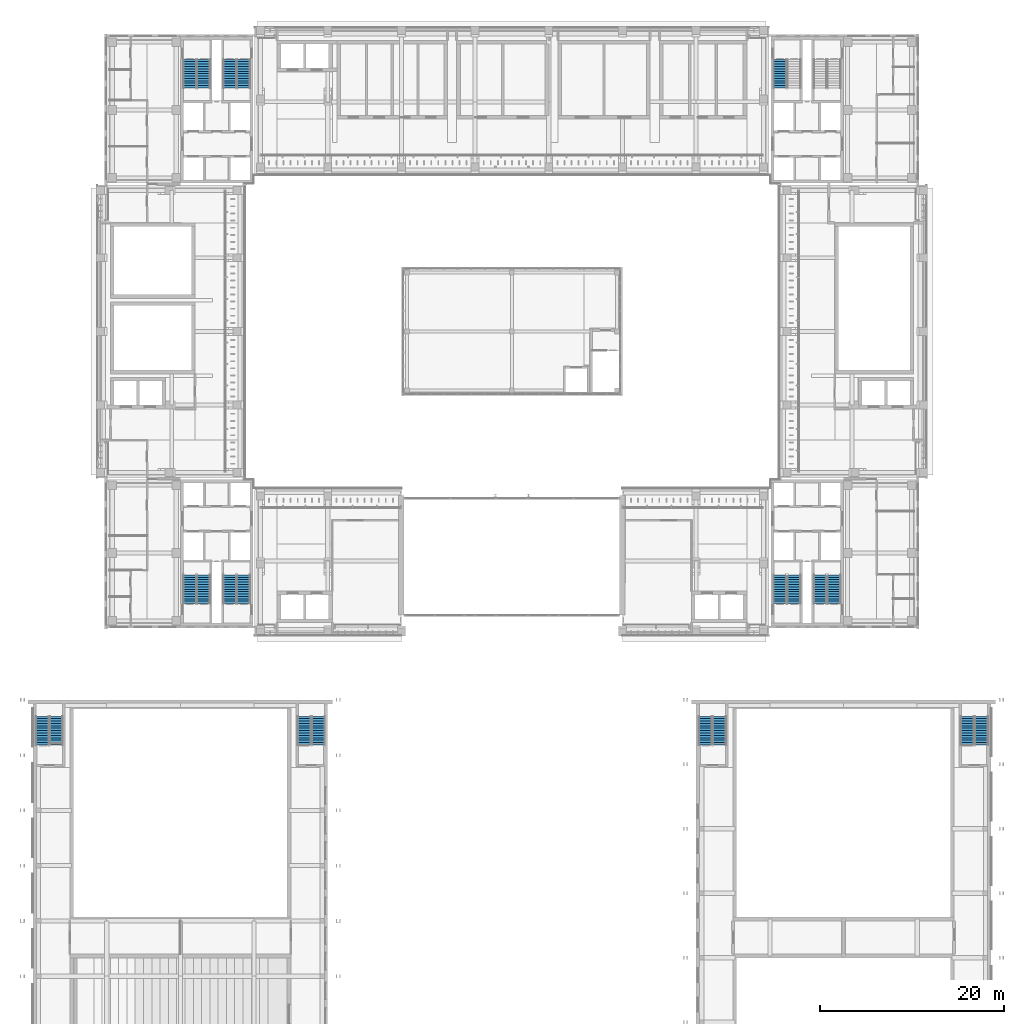
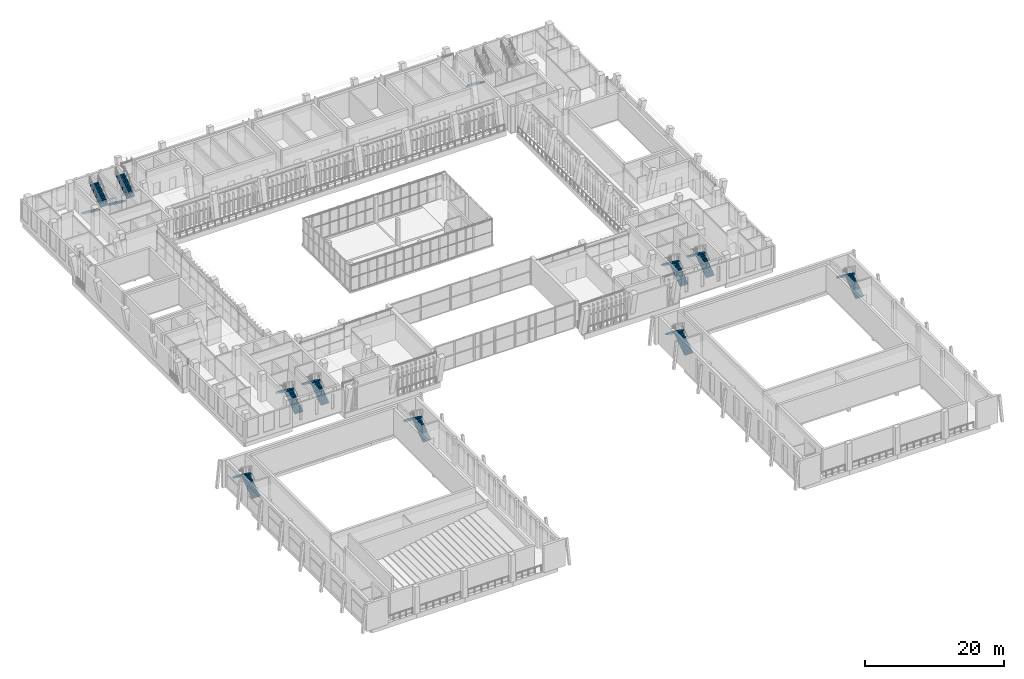
# One storey, part 70 of 92: 21 stair flights, 11 elements without a shape of their own.
"""IFC4 building model written with IfcOpenShell, lengths in metres."""

from ifc_helpers import new_model, si_unit, direction, frame, origin, place, context, subcontext, project, spatial, polyline, outline, extrude, material, type_object, element, aggregate, save


model = new_model("IFC4")

# Units and contexts
model_context = context("Model", 3, precision=1e-05, world=origin(), true_north=direction((0.0, 1.0)))
body_context = subcontext(model_context, "Body", "Model", "MODEL_VIEW")
ifc_project = project(units=[si_unit("LENGTHUNIT", "METRE"), si_unit("AREAUNIT", "SQUARE_METRE"), si_unit("VOLUMEUNIT", "CUBIC_METRE"), si_unit("PLANEANGLEUNIT", "RADIAN"), si_unit("MASSUNIT", "GRAM", prefix="KILO")], contexts=[model_context])

# Site, building, storey
site_placement = place(None, origin())
site = spatial("IfcSite", under=ifc_project, at=site_placement, CompositionType="ELEMENT")
building_placement = place(site_placement, origin())
building = spatial("IfcBuilding", under=site, at=building_placement, Name="Lantern Court Media Centre", CompositionType="ELEMENT")
storey_placement = place(building_placement, frame((0.0, 0.0, 4.800048828125)))
storey = spatial("IfcBuildingStorey", under=building, at=storey_placement, Name="L01", CompositionType="ELEMENT", Elevation=4.800048828125)

# Stair, stair flights
ifc_material = material(Name="Concrete C40", Category="concrete")
stair_type = type_object("IfcStairType", Name="Exit stair 1350", PredefinedType="HALF_TURN_STAIR", material=ifc_material)
stair_1_placement = place(storey_placement, origin())
stair_1 = element("IfcStair", 1, at=stair_1_placement, inside=storey, type_object=stair_type, Name="L01 SW exit stair A", PredefinedType="HALF_TURN_STAIR")
stair_flight_type = type_object("IfcStairFlightType", Name="Stair flight RC 1350", PredefinedType="STRAIGHT", material=ifc_material)
stair_flight_1_placement = place(storey_placement, frame((18.52490234375, 50.449951171875, 0.0), z_axis=(0.0, 0.0, 1.0), x_axis=(0.0, 1.0, 0.0)))
stair_flight_1 = element("IfcStairFlight", 2, at=stair_flight_1_placement, type_object=stair_flight_type, Name="ST-SWA flight 1", NumberOfRisers=13, NumberOfTreads=12, PredefinedType="STRAIGHT", RiserHeight=0.184615385, TreadLength=0.26, context=body_context, shape_type="SweptSolid", body=[
    extrude(outline(polyline([(0.0, 0.0), (0.0, 0.1845703125), (0.260009765625, 0.1845703125), (0.260009765625, 0.369140625), (0.52001953125, 0.369140625), (0.52001953125, 0.553955078125), (0.780029296875, 0.553955078125), (0.780029296875, 0.738525390625), (1.0400390625, 0.738525390625), (1.0400390625, 0.923095703125), (1.300048828125, 0.923095703125), (1.300048828125, 1.107666015625), (1.56005859375, 1.107666015625), (1.56005859375, 1.292236328125), (1.820068359375, 1.292236328125), (1.820068359375, 1.476806640625), (2.080078125, 1.476806640625), (2.080078125, 1.66162109375), (2.340087890625, 1.66162109375), (2.340087890625, 1.84619140625), (2.60009765625, 1.84619140625), (2.60009765625, 2.03076171875), (2.860107421875, 2.03076171875), (2.860107421875, 2.21533203125), (3.1201171875, 2.21533203125), (3.1201171875, 2.39990234375), (3.1201171875, 2.031494140625), (0.259033203125, 0.0), (0.0, 0.0)])), frame((0.0, 0.675048828125, 0.0), z_axis=(0.0, -1.0, 0.0), x_axis=(1.0, 0.0, 0.0)), (0.0, 0.0, 1.0), 1.35009765625),
])
stair_flight_2_placement = place(storey_placement, frame((17.02490234375, 53.570068359375, 2.39990234375), z_axis=(0.0, 0.0, 1.0), x_axis=(0.0, -1.0, 0.0)))
stair_flight_2 = element("IfcStairFlight", 3, at=stair_flight_2_placement, type_object=stair_flight_type, Name="ST-SWA flight 2", NumberOfRisers=13, NumberOfTreads=12, PredefinedType="STRAIGHT", RiserHeight=0.184615385, TreadLength=0.26, context=body_context, shape_type="SweptSolid", body=[
    extrude(outline(polyline([(0.0, 0.0), (0.0, 0.1845703125), (0.260009765625, 0.1845703125), (0.260009765625, 0.369140625), (0.52001953125, 0.369140625), (0.52001953125, 0.553955078125), (0.780029296875, 0.553955078125), (0.780029296875, 0.738525390625), (1.0400390625, 0.738525390625), (1.0400390625, 0.923095703125), (1.300048828125, 0.923095703125), (1.300048828125, 1.107666015625), (1.56005859375, 1.107666015625), (1.56005859375, 1.292236328125), (1.820068359375, 1.292236328125), (1.820068359375, 1.476806640625), (2.080078125, 1.476806640625), (2.080078125, 1.66162109375), (2.340087890625, 1.66162109375), (2.340087890625, 1.84619140625), (2.60009765625, 1.84619140625), (2.60009765625, 2.03076171875), (2.860107421875, 2.03076171875), (2.860107421875, 2.21533203125), (3.1201171875, 2.21533203125), (3.1201171875, 2.39990234375), (3.1201171875, 2.031494140625), (0.259033203125, 0.0), (0.0, 0.0)])), frame((0.0, 0.675048828125, 0.0), z_axis=(0.0, -1.0, 0.0), x_axis=(1.0, 0.0, 0.0)), (0.0, 0.0, 1.0), 1.35009765625),
])
aggregate(stair_1, [stair_flight_1, stair_flight_2])

stair_2_placement = place(storey_placement, origin())
stair_2 = element("IfcStair", 4, at=stair_2_placement, inside=storey, type_object=stair_type, Name="L01 SW exit stair B", PredefinedType="HALF_TURN_STAIR")
stair_flight_3_placement = place(storey_placement, frame((22.875, 50.449951171875, 0.0), z_axis=(0.0, 0.0, 1.0), x_axis=(0.0, 1.0, 0.0)))
stair_flight_3 = element("IfcStairFlight", 5, at=stair_flight_3_placement, type_object=stair_flight_type, Name="ST-SWB flight 1", NumberOfRisers=13, NumberOfTreads=12, PredefinedType="STRAIGHT", RiserHeight=0.184615385, TreadLength=0.26, context=body_context, shape_type="SweptSolid", body=[
    extrude(outline(polyline([(0.0, 0.0), (0.0, 0.1845703125), (0.260009765625, 0.1845703125), (0.260009765625, 0.369140625), (0.52001953125, 0.369140625), (0.52001953125, 0.553955078125), (0.780029296875, 0.553955078125), (0.780029296875, 0.738525390625), (1.0400390625, 0.738525390625), (1.0400390625, 0.923095703125), (1.300048828125, 0.923095703125), (1.300048828125, 1.107666015625), (1.56005859375, 1.107666015625), (1.56005859375, 1.292236328125), (1.820068359375, 1.292236328125), (1.820068359375, 1.476806640625), (2.080078125, 1.476806640625), (2.080078125, 1.66162109375), (2.340087890625, 1.66162109375), (2.340087890625, 1.84619140625), (2.60009765625, 1.84619140625), (2.60009765625, 2.03076171875), (2.860107421875, 2.03076171875), (2.860107421875, 2.21533203125), (3.1201171875, 2.21533203125), (3.1201171875, 2.39990234375), (3.1201171875, 2.031494140625), (0.259033203125, 0.0), (0.0, 0.0)])), frame((0.0, 0.675048828125, 0.0), z_axis=(0.0, -1.0, 0.0), x_axis=(1.0, 0.0, 0.0)), (0.0, 0.0, 1.0), 1.35009765625),
])
stair_flight_4_placement = place(storey_placement, frame((21.375, 53.570068359375, 2.39990234375), z_axis=(0.0, 0.0, 1.0), x_axis=(0.0, -1.0, 0.0)))
stair_flight_4 = element("IfcStairFlight", 6, at=stair_flight_4_placement, type_object=stair_flight_type, Name="ST-SWB flight 2", NumberOfRisers=13, NumberOfTreads=12, PredefinedType="STRAIGHT", RiserHeight=0.184615385, TreadLength=0.26, context=body_context, shape_type="SweptSolid", body=[
    extrude(outline(polyline([(0.0, 0.0), (0.0, 0.1845703125), (0.260009765625, 0.1845703125), (0.260009765625, 0.369140625), (0.52001953125, 0.369140625), (0.52001953125, 0.553955078125), (0.780029296875, 0.553955078125), (0.780029296875, 0.738525390625), (1.0400390625, 0.738525390625), (1.0400390625, 0.923095703125), (1.300048828125, 0.923095703125), (1.300048828125, 1.107666015625), (1.56005859375, 1.107666015625), (1.56005859375, 1.292236328125), (1.820068359375, 1.292236328125), (1.820068359375, 1.476806640625), (2.080078125, 1.476806640625), (2.080078125, 1.66162109375), (2.340087890625, 1.66162109375), (2.340087890625, 1.84619140625), (2.60009765625, 1.84619140625), (2.60009765625, 2.03076171875), (2.860107421875, 2.03076171875), (2.860107421875, 2.21533203125), (3.1201171875, 2.21533203125), (3.1201171875, 2.39990234375), (3.1201171875, 2.031494140625), (0.259033203125, 0.0), (0.0, 0.0)])), frame((0.0, 0.675048828125, 0.0), z_axis=(0.0, -1.0, 0.0), x_axis=(1.0, 0.0, 0.0)), (0.0, 0.0, 1.0), 1.35009765625),
])
aggregate(stair_2, [stair_flight_3, stair_flight_4])

stair_3_placement = place(storey_placement, origin())
stair_3 = element("IfcStair", 7, at=stair_3_placement, inside=storey, type_object=stair_type, Name="L01 SE exit stair A", PredefinedType="HALF_TURN_STAIR")
stair_flight_5_placement = place(storey_placement, frame((86.97509765625, 50.449951171875, 0.0), z_axis=(0.0, 0.0, 1.0), x_axis=(0.0, 1.0, 0.0)))
stair_flight_5 = element("IfcStairFlight", 8, at=stair_flight_5_placement, type_object=stair_flight_type, Name="ST-SEA flight 1", NumberOfRisers=13, NumberOfTreads=12, PredefinedType="STRAIGHT", RiserHeight=0.184615385, TreadLength=0.26, context=body_context, shape_type="SweptSolid", body=[
    extrude(outline(polyline([(0.0, 0.0), (0.0, 0.1845703125), (0.260009765625, 0.1845703125), (0.260009765625, 0.369140625), (0.52001953125, 0.369140625), (0.52001953125, 0.553955078125), (0.780029296875, 0.553955078125), (0.780029296875, 0.738525390625), (1.0400390625, 0.738525390625), (1.0400390625, 0.923095703125), (1.300048828125, 0.923095703125), (1.300048828125, 1.107666015625), (1.56005859375, 1.107666015625), (1.56005859375, 1.292236328125), (1.820068359375, 1.292236328125), (1.820068359375, 1.476806640625), (2.080078125, 1.476806640625), (2.080078125, 1.66162109375), (2.340087890625, 1.66162109375), (2.340087890625, 1.84619140625), (2.60009765625, 1.84619140625), (2.60009765625, 2.03076171875), (2.860107421875, 2.03076171875), (2.860107421875, 2.21533203125), (3.1201171875, 2.21533203125), (3.1201171875, 2.39990234375), (3.1201171875, 2.031494140625), (0.259033203125, 0.0), (0.0, 0.0)])), frame((0.0, 0.675048828125, 0.0), z_axis=(0.0, -1.0, 0.0), x_axis=(1.0, 0.0, 0.0)), (0.0, 0.0, 1.0), 1.35009765625),
])
stair_flight_6_placement = place(storey_placement, frame((85.47509765625, 53.570068359375, 2.39990234375), z_axis=(0.0, 0.0, 1.0), x_axis=(0.0, -1.0, 0.0)))
stair_flight_6 = element("IfcStairFlight", 9, at=stair_flight_6_placement, type_object=stair_flight_type, Name="ST-SEA flight 2", NumberOfRisers=13, NumberOfTreads=12, PredefinedType="STRAIGHT", RiserHeight=0.184615385, TreadLength=0.26, context=body_context, shape_type="SweptSolid", body=[
    extrude(outline(polyline([(0.0, 0.0), (0.0, 0.1845703125), (0.260009765625, 0.1845703125), (0.260009765625, 0.369140625), (0.52001953125, 0.369140625), (0.52001953125, 0.553955078125), (0.780029296875, 0.553955078125), (0.780029296875, 0.738525390625), (1.0400390625, 0.738525390625), (1.0400390625, 0.923095703125), (1.300048828125, 0.923095703125), (1.300048828125, 1.107666015625), (1.56005859375, 1.107666015625), (1.56005859375, 1.292236328125), (1.820068359375, 1.292236328125), (1.820068359375, 1.476806640625), (2.080078125, 1.476806640625), (2.080078125, 1.66162109375), (2.340087890625, 1.66162109375), (2.340087890625, 1.84619140625), (2.60009765625, 1.84619140625), (2.60009765625, 2.03076171875), (2.860107421875, 2.03076171875), (2.860107421875, 2.21533203125), (3.1201171875, 2.21533203125), (3.1201171875, 2.39990234375), (3.1201171875, 2.031494140625), (0.259033203125, 0.0), (0.0, 0.0)])), frame((0.0, 0.675048828125, 0.0), z_axis=(0.0, -1.0, 0.0), x_axis=(1.0, 0.0, 0.0)), (0.0, 0.0, 1.0), 1.35009765625),
])
aggregate(stair_3, [stair_flight_5, stair_flight_6])

stair_4_placement = place(storey_placement, origin())
stair_4 = element("IfcStair", 10, at=stair_4_placement, inside=storey, type_object=stair_type, Name="L01 SE exit stair B", PredefinedType="HALF_TURN_STAIR")
stair_flight_7_placement = place(storey_placement, frame((82.625, 50.449951171875, 0.0), z_axis=(0.0, 0.0, 1.0), x_axis=(0.0, 1.0, 0.0)))
stair_flight_7 = element("IfcStairFlight", 11, at=stair_flight_7_placement, type_object=stair_flight_type, Name="ST-SEB flight 1", NumberOfRisers=13, NumberOfTreads=12, PredefinedType="STRAIGHT", RiserHeight=0.184615385, TreadLength=0.26, context=body_context, shape_type="SweptSolid", body=[
    extrude(outline(polyline([(0.0, 0.0), (0.0, 0.1845703125), (0.260009765625, 0.1845703125), (0.260009765625, 0.369140625), (0.52001953125, 0.369140625), (0.52001953125, 0.553955078125), (0.780029296875, 0.553955078125), (0.780029296875, 0.738525390625), (1.0400390625, 0.738525390625), (1.0400390625, 0.923095703125), (1.300048828125, 0.923095703125), (1.300048828125, 1.107666015625), (1.56005859375, 1.107666015625), (1.56005859375, 1.292236328125), (1.820068359375, 1.292236328125), (1.820068359375, 1.476806640625), (2.080078125, 1.476806640625), (2.080078125, 1.66162109375), (2.340087890625, 1.66162109375), (2.340087890625, 1.84619140625), (2.60009765625, 1.84619140625), (2.60009765625, 2.03076171875), (2.860107421875, 2.03076171875), (2.860107421875, 2.21533203125), (3.1201171875, 2.21533203125), (3.1201171875, 2.39990234375), (3.1201171875, 2.031494140625), (0.259033203125, 0.0), (0.0, 0.0)])), frame((0.0, 0.675048828125, 0.0), z_axis=(0.0, -1.0, 0.0), x_axis=(1.0, 0.0, 0.0)), (0.0, 0.0, 1.0), 1.35009765625),
])
stair_flight_8_placement = place(storey_placement, frame((81.125, 53.570068359375, 2.39990234375), z_axis=(0.0, 0.0, 1.0), x_axis=(0.0, -1.0, 0.0)))
stair_flight_8 = element("IfcStairFlight", 12, at=stair_flight_8_placement, type_object=stair_flight_type, Name="ST-SEB flight 2", NumberOfRisers=13, NumberOfTreads=12, PredefinedType="STRAIGHT", RiserHeight=0.184615385, TreadLength=0.26, context=body_context, shape_type="SweptSolid", body=[
    extrude(outline(polyline([(0.0, 0.0), (0.0, 0.1845703125), (0.260009765625, 0.1845703125), (0.260009765625, 0.369140625), (0.52001953125, 0.369140625), (0.52001953125, 0.553955078125), (0.780029296875, 0.553955078125), (0.780029296875, 0.738525390625), (1.0400390625, 0.738525390625), (1.0400390625, 0.923095703125), (1.300048828125, 0.923095703125), (1.300048828125, 1.107666015625), (1.56005859375, 1.107666015625), (1.56005859375, 1.292236328125), (1.820068359375, 1.292236328125), (1.820068359375, 1.476806640625), (2.080078125, 1.476806640625), (2.080078125, 1.66162109375), (2.340087890625, 1.66162109375), (2.340087890625, 1.84619140625), (2.60009765625, 1.84619140625), (2.60009765625, 2.03076171875), (2.860107421875, 2.03076171875), (2.860107421875, 2.21533203125), (3.1201171875, 2.21533203125), (3.1201171875, 2.39990234375), (3.1201171875, 2.031494140625), (0.259033203125, 0.0), (0.0, 0.0)])), frame((0.0, 0.675048828125, 0.0), z_axis=(0.0, -1.0, 0.0), x_axis=(1.0, 0.0, 0.0)), (0.0, 0.0, 1.0), 1.35009765625),
])
aggregate(stair_4, [stair_flight_7, stair_flight_8])

stair_5_placement = place(storey_placement, origin())
stair_5 = element("IfcStair", 13, at=stair_5_placement, inside=storey, type_object=stair_type, Name="L01 NW exit stair A", PredefinedType="HALF_TURN_STAIR")
stair_flight_9_placement = place(storey_placement, frame((17.02490234375, 109.550048828125, 0.0), z_axis=(0.0, 0.0, 1.0), x_axis=(0.0, -1.0, 0.0)))
stair_flight_9 = element("IfcStairFlight", 14, at=stair_flight_9_placement, type_object=stair_flight_type, Name="ST-NWA flight 1", NumberOfRisers=13, NumberOfTreads=12, PredefinedType="STRAIGHT", RiserHeight=0.184615385, TreadLength=0.26, context=body_context, shape_type="SweptSolid", body=[
    extrude(outline(polyline([(0.0, 0.0), (0.0, 0.1845703125), (0.260009765625, 0.1845703125), (0.260009765625, 0.369140625), (0.52001953125, 0.369140625), (0.52001953125, 0.553955078125), (0.780029296875, 0.553955078125), (0.780029296875, 0.738525390625), (1.0400390625, 0.738525390625), (1.0400390625, 0.923095703125), (1.300048828125, 0.923095703125), (1.300048828125, 1.107666015625), (1.56005859375, 1.107666015625), (1.56005859375, 1.292236328125), (1.820068359375, 1.292236328125), (1.820068359375, 1.476806640625), (2.080078125, 1.476806640625), (2.080078125, 1.66162109375), (2.340087890625, 1.66162109375), (2.340087890625, 1.84619140625), (2.60009765625, 1.84619140625), (2.60009765625, 2.03076171875), (2.860107421875, 2.03076171875), (2.860107421875, 2.21533203125), (3.1201171875, 2.21533203125), (3.1201171875, 2.39990234375), (3.1201171875, 2.031494140625), (0.259033203125, 0.0), (0.0, 0.0)])), frame((0.0, 0.675048828125, 0.0), z_axis=(0.0, -1.0, 0.0), x_axis=(1.0, 0.0, 0.0)), (0.0, 0.0, 1.0), 1.35009765625),
])
stair_flight_10_placement = place(storey_placement, frame((18.52490234375, 106.429931640625, 2.39990234375), z_axis=(0.0, 0.0, 1.0), x_axis=(0.0, 1.0, 0.0)))
stair_flight_10 = element("IfcStairFlight", 15, at=stair_flight_10_placement, type_object=stair_flight_type, Name="ST-NWA flight 2", NumberOfRisers=13, NumberOfTreads=12, PredefinedType="STRAIGHT", RiserHeight=0.184615385, TreadLength=0.26, context=body_context, shape_type="SweptSolid", body=[
    extrude(outline(polyline([(0.0, 0.0), (0.0, 0.1845703125), (0.260009765625, 0.1845703125), (0.260009765625, 0.369140625), (0.52001953125, 0.369140625), (0.52001953125, 0.553955078125), (0.780029296875, 0.553955078125), (0.780029296875, 0.738525390625), (1.0400390625, 0.738525390625), (1.0400390625, 0.923095703125), (1.300048828125, 0.923095703125), (1.300048828125, 1.107666015625), (1.56005859375, 1.107666015625), (1.56005859375, 1.292236328125), (1.820068359375, 1.292236328125), (1.820068359375, 1.476806640625), (2.080078125, 1.476806640625), (2.080078125, 1.66162109375), (2.340087890625, 1.66162109375), (2.340087890625, 1.84619140625), (2.60009765625, 1.84619140625), (2.60009765625, 2.03076171875), (2.860107421875, 2.03076171875), (2.860107421875, 2.21533203125), (3.1201171875, 2.21533203125), (3.1201171875, 2.39990234375), (3.1201171875, 2.031494140625), (0.259033203125, 0.0), (0.0, 0.0)])), frame((0.0, 0.675048828125, 0.0), z_axis=(0.0, -1.0, 0.0), x_axis=(1.0, 0.0, 0.0)), (0.0, 0.0, 1.0), 1.35009765625),
])
aggregate(stair_5, [stair_flight_9, stair_flight_10])

stair_6_placement = place(storey_placement, origin())
stair_6 = element("IfcStair", 16, at=stair_6_placement, inside=storey, type_object=stair_type, Name="L01 NW exit stair B", PredefinedType="HALF_TURN_STAIR")
stair_flight_11_placement = place(storey_placement, frame((21.375, 109.550048828125, 0.0), z_axis=(0.0, 0.0, 1.0), x_axis=(0.0, -1.0, 0.0)))
stair_flight_11 = element("IfcStairFlight", 17, at=stair_flight_11_placement, type_object=stair_flight_type, Name="ST-NWB flight 1", NumberOfRisers=13, NumberOfTreads=12, PredefinedType="STRAIGHT", RiserHeight=0.184615385, TreadLength=0.26, context=body_context, shape_type="SweptSolid", body=[
    extrude(outline(polyline([(0.0, 0.0), (0.0, 0.1845703125), (0.260009765625, 0.1845703125), (0.260009765625, 0.369140625), (0.52001953125, 0.369140625), (0.52001953125, 0.553955078125), (0.780029296875, 0.553955078125), (0.780029296875, 0.738525390625), (1.0400390625, 0.738525390625), (1.0400390625, 0.923095703125), (1.300048828125, 0.923095703125), (1.300048828125, 1.107666015625), (1.56005859375, 1.107666015625), (1.56005859375, 1.292236328125), (1.820068359375, 1.292236328125), (1.820068359375, 1.476806640625), (2.080078125, 1.476806640625), (2.080078125, 1.66162109375), (2.340087890625, 1.66162109375), (2.340087890625, 1.84619140625), (2.60009765625, 1.84619140625), (2.60009765625, 2.03076171875), (2.860107421875, 2.03076171875), (2.860107421875, 2.21533203125), (3.1201171875, 2.21533203125), (3.1201171875, 2.39990234375), (3.1201171875, 2.031494140625), (0.259033203125, 0.0), (0.0, 0.0)])), frame((0.0, 0.675048828125, 0.0), z_axis=(0.0, -1.0, 0.0), x_axis=(1.0, 0.0, 0.0)), (0.0, 0.0, 1.0), 1.35009765625),
])
stair_flight_12_placement = place(storey_placement, frame((22.875, 106.429931640625, 2.39990234375), z_axis=(0.0, 0.0, 1.0), x_axis=(0.0, 1.0, 0.0)))
stair_flight_12 = element("IfcStairFlight", 18, at=stair_flight_12_placement, type_object=stair_flight_type, Name="ST-NWB flight 2", NumberOfRisers=13, NumberOfTreads=12, PredefinedType="STRAIGHT", RiserHeight=0.184615385, TreadLength=0.26, context=body_context, shape_type="SweptSolid", body=[
    extrude(outline(polyline([(0.0, 0.0), (0.0, 0.1845703125), (0.260009765625, 0.1845703125), (0.260009765625, 0.369140625), (0.52001953125, 0.369140625), (0.52001953125, 0.553955078125), (0.780029296875, 0.553955078125), (0.780029296875, 0.738525390625), (1.0400390625, 0.738525390625), (1.0400390625, 0.923095703125), (1.300048828125, 0.923095703125), (1.300048828125, 1.107666015625), (1.56005859375, 1.107666015625), (1.56005859375, 1.292236328125), (1.820068359375, 1.292236328125), (1.820068359375, 1.476806640625), (2.080078125, 1.476806640625), (2.080078125, 1.66162109375), (2.340087890625, 1.66162109375), (2.340087890625, 1.84619140625), (2.60009765625, 1.84619140625), (2.60009765625, 2.03076171875), (2.860107421875, 2.03076171875), (2.860107421875, 2.21533203125), (3.1201171875, 2.21533203125), (3.1201171875, 2.39990234375), (3.1201171875, 2.031494140625), (0.259033203125, 0.0), (0.0, 0.0)])), frame((0.0, 0.675048828125, 0.0), z_axis=(0.0, -1.0, 0.0), x_axis=(1.0, 0.0, 0.0)), (0.0, 0.0, 1.0), 1.35009765625),
])
aggregate(stair_6, [stair_flight_11, stair_flight_12])

# Stair, stair flight
stair_7_placement = place(storey_placement, origin())
stair_7 = element("IfcStair", 19, at=stair_7_placement, inside=storey, type_object=stair_type, Name="L01 NE exit stair B", PredefinedType="HALF_TURN_STAIR")
stair_flight_13_placement = place(storey_placement, frame((81.125, 109.550048828125, 0.0), z_axis=(0.0, 0.0, 1.0), x_axis=(0.0, -1.0, 0.0)))
stair_flight_13 = element("IfcStairFlight", 20, at=stair_flight_13_placement, type_object=stair_flight_type, Name="ST-NEB flight 1", NumberOfRisers=13, NumberOfTreads=12, PredefinedType="STRAIGHT", RiserHeight=0.184615385, TreadLength=0.26, context=body_context, shape_type="SweptSolid", body=[
    extrude(outline(polyline([(0.0, 0.0), (0.0, 0.1845703125), (0.260009765625, 0.1845703125), (0.260009765625, 0.369140625), (0.52001953125, 0.369140625), (0.52001953125, 0.553955078125), (0.780029296875, 0.553955078125), (0.780029296875, 0.738525390625), (1.0400390625, 0.738525390625), (1.0400390625, 0.923095703125), (1.300048828125, 0.923095703125), (1.300048828125, 1.107666015625), (1.56005859375, 1.107666015625), (1.56005859375, 1.292236328125), (1.820068359375, 1.292236328125), (1.820068359375, 1.476806640625), (2.080078125, 1.476806640625), (2.080078125, 1.66162109375), (2.340087890625, 1.66162109375), (2.340087890625, 1.84619140625), (2.60009765625, 1.84619140625), (2.60009765625, 2.03076171875), (2.860107421875, 2.03076171875), (2.860107421875, 2.21533203125), (3.1201171875, 2.21533203125), (3.1201171875, 2.39990234375), (3.1201171875, 2.031494140625), (0.259033203125, 0.0), (0.0, 0.0)])), frame((0.0, 0.675048828125, 0.0), z_axis=(0.0, -1.0, 0.0), x_axis=(1.0, 0.0, 0.0)), (0.0, 0.0, 1.0), 1.35009765625),
])
aggregate(stair_7, [stair_flight_13])

# Stair, stair flights
stair_8_placement = place(storey_placement, origin())
stair_8 = element("IfcStair", 21, at=stair_8_placement, inside=storey, type_object=stair_type, Name="L01 V1-ST-W exit stair", PredefinedType="HALF_TURN_STAIR")
stair_flight_14_placement = place(storey_placement, frame((2.52490234375, 35.10009765625, 0.0), z_axis=(0.0, 0.0, 1.0), x_axis=(0.0, 1.0, 0.0)))
stair_flight_14 = element("IfcStairFlight", 22, at=stair_flight_14_placement, type_object=stair_flight_type, Name="ST-V1-ST-W flight 1", NumberOfRisers=13, NumberOfTreads=12, PredefinedType="STRAIGHT", RiserHeight=0.184615385, TreadLength=0.26, context=body_context, shape_type="SweptSolid", body=[
    extrude(outline(polyline([(0.0, 0.0), (0.0, 0.1845703125), (0.260009765625, 0.1845703125), (0.260009765625, 0.369140625), (0.52001953125, 0.369140625), (0.52001953125, 0.553955078125), (0.780029296875, 0.553955078125), (0.780029296875, 0.738525390625), (1.0400390625, 0.738525390625), (1.0400390625, 0.923095703125), (1.300048828125, 0.923095703125), (1.300048828125, 1.107666015625), (1.56005859375, 1.107666015625), (1.56005859375, 1.292236328125), (1.820068359375, 1.292236328125), (1.820068359375, 1.476806640625), (2.080078125, 1.476806640625), (2.080078125, 1.66162109375), (2.340087890625, 1.66162109375), (2.340087890625, 1.84619140625), (2.60009765625, 1.84619140625), (2.60009765625, 2.03076171875), (2.860107421875, 2.03076171875), (2.860107421875, 2.21533203125), (3.1201171875, 2.21533203125), (3.1201171875, 2.39990234375), (3.1201171875, 2.031494140625), (0.259033203125, 0.0), (0.0, 0.0)])), frame((0.0, 0.675048828125, 0.0), z_axis=(0.0, -1.0, 0.0), x_axis=(1.0, 0.0, 0.0)), (0.0, 0.0, 1.0), 1.35009765625),
])
stair_flight_15_placement = place(storey_placement, frame((1.02490234375, 38.219970703125, 2.39990234375), z_axis=(0.0, 0.0, 1.0), x_axis=(0.0, -1.0, 0.0)))
stair_flight_15 = element("IfcStairFlight", 23, at=stair_flight_15_placement, type_object=stair_flight_type, Name="ST-V1-ST-W flight 2", NumberOfRisers=13, NumberOfTreads=12, PredefinedType="STRAIGHT", RiserHeight=0.184615385, TreadLength=0.26, context=body_context, shape_type="SweptSolid", body=[
    extrude(outline(polyline([(0.0, 0.0), (0.0, 0.1845703125), (0.260009765625, 0.1845703125), (0.260009765625, 0.369140625), (0.52001953125, 0.369140625), (0.52001953125, 0.553955078125), (0.780029296875, 0.553955078125), (0.780029296875, 0.738525390625), (1.0400390625, 0.738525390625), (1.0400390625, 0.923095703125), (1.300048828125, 0.923095703125), (1.300048828125, 1.107666015625), (1.56005859375, 1.107666015625), (1.56005859375, 1.292236328125), (1.820068359375, 1.292236328125), (1.820068359375, 1.476806640625), (2.080078125, 1.476806640625), (2.080078125, 1.66162109375), (2.340087890625, 1.66162109375), (2.340087890625, 1.84619140625), (2.60009765625, 1.84619140625), (2.60009765625, 2.03076171875), (2.860107421875, 2.03076171875), (2.860107421875, 2.21533203125), (3.1201171875, 2.21533203125), (3.1201171875, 2.39990234375), (3.1201171875, 2.031494140625), (0.259033203125, 0.0), (0.0, 0.0)])), frame((0.0, 0.675048828125, 0.0), z_axis=(0.0, -1.0, 0.0), x_axis=(1.0, 0.0, 0.0)), (0.0, 0.0, 1.0), 1.35009765625),
])
aggregate(stair_8, [stair_flight_14, stair_flight_15])

stair_9_placement = place(storey_placement, origin())
stair_9 = element("IfcStair", 24, at=stair_9_placement, inside=storey, type_object=stair_type, Name="L01 V1-ST-E exit stair", PredefinedType="HALF_TURN_STAIR")
stair_flight_16_placement = place(storey_placement, frame((30.97509765625, 35.10009765625, 0.0), z_axis=(0.0, 0.0, 1.0), x_axis=(0.0, 1.0, 0.0)))
stair_flight_16 = element("IfcStairFlight", 25, at=stair_flight_16_placement, type_object=stair_flight_type, Name="ST-V1-ST-E flight 1", NumberOfRisers=13, NumberOfTreads=12, PredefinedType="STRAIGHT", RiserHeight=0.184615385, TreadLength=0.26, context=body_context, shape_type="SweptSolid", body=[
    extrude(outline(polyline([(0.0, 0.0), (0.0, 0.1845703125), (0.260009765625, 0.1845703125), (0.260009765625, 0.369140625), (0.52001953125, 0.369140625), (0.52001953125, 0.553955078125), (0.780029296875, 0.553955078125), (0.780029296875, 0.738525390625), (1.0400390625, 0.738525390625), (1.0400390625, 0.923095703125), (1.300048828125, 0.923095703125), (1.300048828125, 1.107666015625), (1.56005859375, 1.107666015625), (1.56005859375, 1.292236328125), (1.820068359375, 1.292236328125), (1.820068359375, 1.476806640625), (2.080078125, 1.476806640625), (2.080078125, 1.66162109375), (2.340087890625, 1.66162109375), (2.340087890625, 1.84619140625), (2.60009765625, 1.84619140625), (2.60009765625, 2.03076171875), (2.860107421875, 2.03076171875), (2.860107421875, 2.21533203125), (3.1201171875, 2.21533203125), (3.1201171875, 2.39990234375), (3.1201171875, 2.031494140625), (0.259033203125, 0.0), (0.0, 0.0)])), frame((0.0, 0.675048828125, 0.0), z_axis=(0.0, -1.0, 0.0), x_axis=(1.0, 0.0, 0.0)), (0.0, 0.0, 1.0), 1.35009765625),
])
stair_flight_17_placement = place(storey_placement, frame((29.47509765625, 38.219970703125, 2.39990234375), z_axis=(0.0, 0.0, 1.0), x_axis=(0.0, -1.0, 0.0)))
stair_flight_17 = element("IfcStairFlight", 26, at=stair_flight_17_placement, type_object=stair_flight_type, Name="ST-V1-ST-E flight 2", NumberOfRisers=13, NumberOfTreads=12, PredefinedType="STRAIGHT", RiserHeight=0.184615385, TreadLength=0.26, context=body_context, shape_type="SweptSolid", body=[
    extrude(outline(polyline([(0.0, 0.0), (0.0, 0.1845703125), (0.260009765625, 0.1845703125), (0.260009765625, 0.369140625), (0.52001953125, 0.369140625), (0.52001953125, 0.553955078125), (0.780029296875, 0.553955078125), (0.780029296875, 0.738525390625), (1.0400390625, 0.738525390625), (1.0400390625, 0.923095703125), (1.300048828125, 0.923095703125), (1.300048828125, 1.107666015625), (1.56005859375, 1.107666015625), (1.56005859375, 1.292236328125), (1.820068359375, 1.292236328125), (1.820068359375, 1.476806640625), (2.080078125, 1.476806640625), (2.080078125, 1.66162109375), (2.340087890625, 1.66162109375), (2.340087890625, 1.84619140625), (2.60009765625, 1.84619140625), (2.60009765625, 2.03076171875), (2.860107421875, 2.03076171875), (2.860107421875, 2.21533203125), (3.1201171875, 2.21533203125), (3.1201171875, 2.39990234375), (3.1201171875, 2.031494140625), (0.259033203125, 0.0), (0.0, 0.0)])), frame((0.0, 0.675048828125, 0.0), z_axis=(0.0, -1.0, 0.0), x_axis=(1.0, 0.0, 0.0)), (0.0, 0.0, 1.0), 1.35009765625),
])
aggregate(stair_9, [stair_flight_16, stair_flight_17])

stair_10_placement = place(storey_placement, origin())
stair_10 = element("IfcStair", 27, at=stair_10_placement, inside=storey, type_object=stair_type, Name="L01 V2-ST-W exit stair", PredefinedType="HALF_TURN_STAIR")
stair_flight_18_placement = place(storey_placement, frame((74.52490234375, 35.10009765625, 0.0), z_axis=(0.0, 0.0, 1.0), x_axis=(0.0, 1.0, 0.0)))
stair_flight_18 = element("IfcStairFlight", 28, at=stair_flight_18_placement, type_object=stair_flight_type, Name="ST-V2-ST-W flight 1", NumberOfRisers=13, NumberOfTreads=12, PredefinedType="STRAIGHT", RiserHeight=0.184615385, TreadLength=0.26, context=body_context, shape_type="SweptSolid", body=[
    extrude(outline(polyline([(0.0, 0.0), (0.0, 0.1845703125), (0.260009765625, 0.1845703125), (0.260009765625, 0.369140625), (0.52001953125, 0.369140625), (0.52001953125, 0.553955078125), (0.780029296875, 0.553955078125), (0.780029296875, 0.738525390625), (1.0400390625, 0.738525390625), (1.0400390625, 0.923095703125), (1.300048828125, 0.923095703125), (1.300048828125, 1.107666015625), (1.56005859375, 1.107666015625), (1.56005859375, 1.292236328125), (1.820068359375, 1.292236328125), (1.820068359375, 1.476806640625), (2.080078125, 1.476806640625), (2.080078125, 1.66162109375), (2.340087890625, 1.66162109375), (2.340087890625, 1.84619140625), (2.60009765625, 1.84619140625), (2.60009765625, 2.03076171875), (2.860107421875, 2.03076171875), (2.860107421875, 2.21533203125), (3.1201171875, 2.21533203125), (3.1201171875, 2.39990234375), (3.1201171875, 2.031494140625), (0.259033203125, 0.0), (0.0, 0.0)])), frame((0.0, 0.675048828125, 0.0), z_axis=(0.0, -1.0, 0.0), x_axis=(1.0, 0.0, 0.0)), (0.0, 0.0, 1.0), 1.35009765625),
])
stair_flight_19_placement = place(storey_placement, frame((73.02490234375, 38.219970703125, 2.39990234375), z_axis=(0.0, 0.0, 1.0), x_axis=(0.0, -1.0, 0.0)))
stair_flight_19 = element("IfcStairFlight", 29, at=stair_flight_19_placement, type_object=stair_flight_type, Name="ST-V2-ST-W flight 2", NumberOfRisers=13, NumberOfTreads=12, PredefinedType="STRAIGHT", RiserHeight=0.184615385, TreadLength=0.26, context=body_context, shape_type="SweptSolid", body=[
    extrude(outline(polyline([(0.0, 0.0), (0.0, 0.1845703125), (0.260009765625, 0.1845703125), (0.260009765625, 0.369140625), (0.52001953125, 0.369140625), (0.52001953125, 0.553955078125), (0.780029296875, 0.553955078125), (0.780029296875, 0.738525390625), (1.0400390625, 0.738525390625), (1.0400390625, 0.923095703125), (1.300048828125, 0.923095703125), (1.300048828125, 1.107666015625), (1.56005859375, 1.107666015625), (1.56005859375, 1.292236328125), (1.820068359375, 1.292236328125), (1.820068359375, 1.476806640625), (2.080078125, 1.476806640625), (2.080078125, 1.66162109375), (2.340087890625, 1.66162109375), (2.340087890625, 1.84619140625), (2.60009765625, 1.84619140625), (2.60009765625, 2.03076171875), (2.860107421875, 2.03076171875), (2.860107421875, 2.21533203125), (3.1201171875, 2.21533203125), (3.1201171875, 2.39990234375), (3.1201171875, 2.031494140625), (0.259033203125, 0.0), (0.0, 0.0)])), frame((0.0, 0.675048828125, 0.0), z_axis=(0.0, -1.0, 0.0), x_axis=(1.0, 0.0, 0.0)), (0.0, 0.0, 1.0), 1.35009765625),
])
aggregate(stair_10, [stair_flight_18, stair_flight_19])

stair_11_placement = place(storey_placement, origin())
stair_11 = element("IfcStair", 30, at=stair_11_placement, inside=storey, type_object=stair_type, Name="L01 V2-ST-E exit stair", PredefinedType="HALF_TURN_STAIR")
stair_flight_20_placement = place(storey_placement, frame((102.97509765625, 35.10009765625, 0.0), z_axis=(0.0, 0.0, 1.0), x_axis=(0.0, 1.0, 0.0)))
stair_flight_20 = element("IfcStairFlight", 31, at=stair_flight_20_placement, type_object=stair_flight_type, Name="ST-V2-ST-E flight 1", NumberOfRisers=13, NumberOfTreads=12, PredefinedType="STRAIGHT", RiserHeight=0.184615385, TreadLength=0.26, context=body_context, shape_type="SweptSolid", body=[
    extrude(outline(polyline([(0.0, 0.0), (0.0, 0.1845703125), (0.260009765625, 0.1845703125), (0.260009765625, 0.369140625), (0.52001953125, 0.369140625), (0.52001953125, 0.553955078125), (0.780029296875, 0.553955078125), (0.780029296875, 0.738525390625), (1.0400390625, 0.738525390625), (1.0400390625, 0.923095703125), (1.300048828125, 0.923095703125), (1.300048828125, 1.107666015625), (1.56005859375, 1.107666015625), (1.56005859375, 1.292236328125), (1.820068359375, 1.292236328125), (1.820068359375, 1.476806640625), (2.080078125, 1.476806640625), (2.080078125, 1.66162109375), (2.340087890625, 1.66162109375), (2.340087890625, 1.84619140625), (2.60009765625, 1.84619140625), (2.60009765625, 2.03076171875), (2.860107421875, 2.03076171875), (2.860107421875, 2.21533203125), (3.1201171875, 2.21533203125), (3.1201171875, 2.39990234375), (3.1201171875, 2.031494140625), (0.259033203125, 0.0), (0.0, 0.0)])), frame((0.0, 0.675048828125, 0.0), z_axis=(0.0, -1.0, 0.0), x_axis=(1.0, 0.0, 0.0)), (0.0, 0.0, 1.0), 1.35009765625),
])
stair_flight_21_placement = place(storey_placement, frame((101.47509765625, 38.219970703125, 2.39990234375), z_axis=(0.0, 0.0, 1.0), x_axis=(0.0, -1.0, 0.0)))
stair_flight_21 = element("IfcStairFlight", 32, at=stair_flight_21_placement, type_object=stair_flight_type, Name="ST-V2-ST-E flight 2", NumberOfRisers=13, NumberOfTreads=12, PredefinedType="STRAIGHT", RiserHeight=0.184615385, TreadLength=0.26, context=body_context, shape_type="SweptSolid", body=[
    extrude(outline(polyline([(0.0, 0.0), (0.0, 0.1845703125), (0.260009765625, 0.1845703125), (0.260009765625, 0.369140625), (0.52001953125, 0.369140625), (0.52001953125, 0.553955078125), (0.780029296875, 0.553955078125), (0.780029296875, 0.738525390625), (1.0400390625, 0.738525390625), (1.0400390625, 0.923095703125), (1.300048828125, 0.923095703125), (1.300048828125, 1.107666015625), (1.56005859375, 1.107666015625), (1.56005859375, 1.292236328125), (1.820068359375, 1.292236328125), (1.820068359375, 1.476806640625), (2.080078125, 1.476806640625), (2.080078125, 1.66162109375), (2.340087890625, 1.66162109375), (2.340087890625, 1.84619140625), (2.60009765625, 1.84619140625), (2.60009765625, 2.03076171875), (2.860107421875, 2.03076171875), (2.860107421875, 2.21533203125), (3.1201171875, 2.21533203125), (3.1201171875, 2.39990234375), (3.1201171875, 2.031494140625), (0.259033203125, 0.0), (0.0, 0.0)])), frame((0.0, 0.675048828125, 0.0), z_axis=(0.0, -1.0, 0.0), x_axis=(1.0, 0.0, 0.0)), (0.0, 0.0, 1.0), 1.35009765625),
])
aggregate(stair_11, [stair_flight_20, stair_flight_21])

save(model, "model.ifc")
